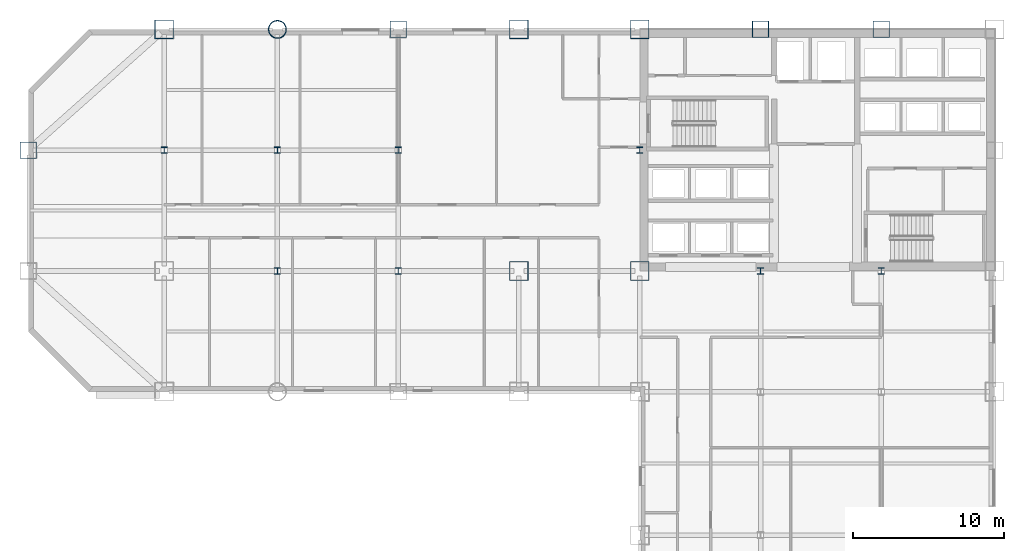
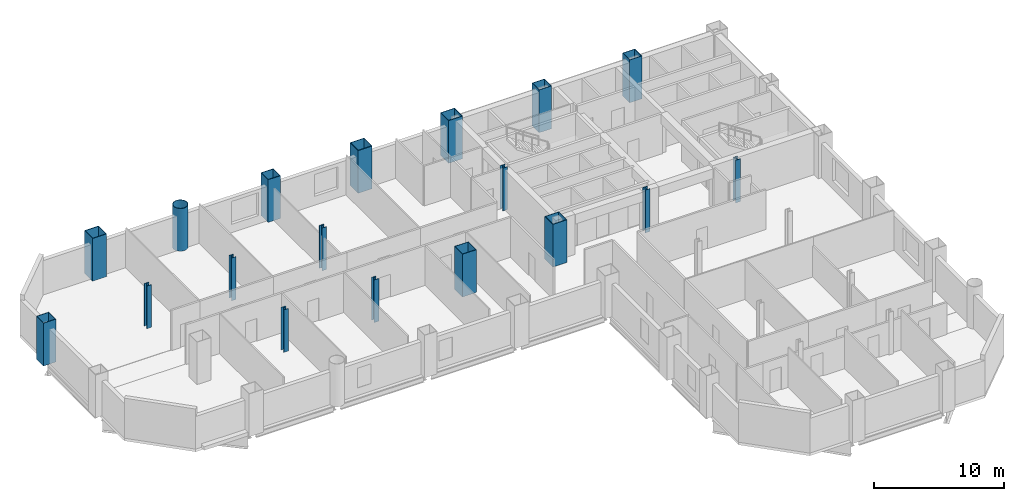
# One storey, part 2 of 9: 18 columns.
"""IFC4 building model written with IfcOpenShell, lengths in metres."""

from ifc_helpers import new_model, si_unit, direction, frame, origin, origin_2d, place, context, subcontext, project, spatial, hollow_rectangle, hollow_circle, i_section, extrude, material, material_profile, profile_set, type_object, element, save


model = new_model("IFC4")

# Units and contexts
model_context = context("Model", 3, precision=1e-05, world=origin(), true_north=direction((0.0, 1.0)))
body_context = subcontext(model_context, "Body", "Model", "MODEL_VIEW")
ifc_project = project(units=[si_unit("LENGTHUNIT", "METRE"), si_unit("AREAUNIT", "SQUARE_METRE"), si_unit("VOLUMEUNIT", "CUBIC_METRE"), si_unit("PLANEANGLEUNIT", "RADIAN"), si_unit("MASSUNIT", "GRAM", prefix="KILO")], contexts=[model_context])

# Site, building, storey
site_placement = place(None, origin())
site = spatial("IfcSite", under=ifc_project, at=site_placement, CompositionType="ELEMENT")
building_placement = place(site_placement, origin())
building = spatial("IfcBuilding", under=site, at=building_placement, Name="Qianrong Seaharbour Tower", CompositionType="ELEMENT")
storey_placement = place(building_placement, frame((0.0, 0.0, 96.199951171875)))
storey = spatial("IfcBuildingStorey", under=building, at=storey_placement, Name="L23", CompositionType="ELEMENT", Elevation=96.199951171875)

# Columns
ifc_material = material(Name="Structural steel SN490B", Category="steel")
ifc_material_profile_1 = material_profile(ifc_material, hollow_rectangle(XDim=1.25, YDim=1.25, WallThickness=0.044921875, at=origin_2d()), Name="BOX1250x1250x45")
ifc_profile_set_1 = profile_set([ifc_material_profile_1], Name="Structural steel SN490B")
column_type_1 = type_object("IfcColumnType", Name="COL-CFT-1250", PredefinedType="COLUMN", material=ifc_profile_set_1)
for number, where, z_axis, x_axis, name in (
    (1, (9.0, 52.0, 0.0), (0.0, 0.0, 1.0), (1.0, 0.0, 0.0), "L23 Column MC-2 at G2/GH"),
    (2, (32.5, 36.0, 0.0), (0.0, 0.0, 1.0), (1.0, 0.0, 0.0), "L23 Column MC-2 at G5/GF"),
    (3, (32.5, 52.0, 0.0), (0.0, 0.0, 1.0), (1.0, 0.0, 0.0), "L23 Column MC-2 at G5/GH"),
    (4, (40.5, 36.0, 0.0), (0.0, 0.0, 1.0), (1.0, 0.0, 0.0), "L23 Column MC-2 at G6/GF"),
    (5, (40.5, 52.0, 0.0), (0.0, 0.0, 1.0), (1.0, 0.0, 0.0), "L23 Column MC-2 at G6/GH"),
):
    element("IfcColumn", number, at=place(storey_placement, frame(where, z_axis=z_axis, x_axis=x_axis)), inside=storey, type_object=column_type_1, Name=name, PredefinedType="COLUMN", context=body_context, shape_type="SweptSolid", body=[
        extrude(hollow_rectangle(XDim=1.25, YDim=1.25, WallThickness=0.044921875, at=origin_2d()), origin(), (0.0, 0.0, 1.0), 4.0),
    ])
ifc_material_profile_2 = material_profile(ifc_material, hollow_circle(Radius=0.60009765625, WallThickness=0.0400390625, at=origin_2d()), Name="CHS1200x40")
ifc_profile_set_2 = profile_set([ifc_material_profile_2], Name="Structural steel SN490B")
column_type_2 = type_object("IfcColumnType", Name="COL-CHS-1200", PredefinedType="COLUMN", material=ifc_profile_set_2)
column_placement = place(storey_placement, frame((16.5, 52.0, 0.0), z_axis=(0.0, 0.0, 1.0), x_axis=(1.0, 0.0, 0.0)))
element("IfcColumn", 6, at=column_placement, inside=storey, type_object=column_type_2, Name="L23 Column CC-1 at G3/GH", PredefinedType="COLUMN", context=body_context, shape_type="SweptSolid", body=[
    extrude(hollow_circle(Radius=0.60009765625, WallThickness=0.0400390625, at=origin_2d()), origin(), (0.0, 0.0, 1.0), 4.0),
])
ifc_material_profile_3 = material_profile(ifc_material, i_section(OverallWidth=0.406982421875, OverallDepth=0.427978515625, WebThickness=0.02001953125, FlangeThickness=0.034912109375, FilletRadius=0.02197265625, at=origin_2d()), Name="H428x407x20x35")
ifc_profile_set_3 = profile_set([ifc_material_profile_3], Name="Structural steel SN490B")
column_type_3 = type_object("IfcColumnType", Name="COL-INT-H428", PredefinedType="COLUMN", material=ifc_profile_set_3)
for number, where, z_axis, x_axis, name in (
    (7, (9.0, 44.0, 0.0), (0.0, 0.0, 1.0), (1.0, 0.0, 0.0), "L23 Column IC-2 at G2/GG"),
    (8, (16.5, 36.0, 0.0), (0.0, 0.0, 1.0), (1.0, 0.0, 0.0), "L23 Column IC-2 at G3/GF"),
    (9, (16.5, 44.0, 0.0), (0.0, 0.0, 1.0), (1.0, 0.0, 0.0), "L23 Column IC-2 at G3/GG"),
    (10, (24.5, 36.0, 0.0), (0.0, 0.0, 1.0), (1.0, 0.0, 0.0), "L23 Column IC-2 at G4/GF"),
    (11, (24.5, 44.0, 0.0), (0.0, 0.0, 1.0), (1.0, 0.0, 0.0), "L23 Column IC-2 at G4/GG"),
    (12, (40.5, 44.0, 0.0), (0.0, 0.0, 1.0), (1.0, 0.0, 0.0), "L23 Column IC-2 at G6/GG"),
    (13, (48.5, 36.0, 0.0), (0.0, 0.0, 1.0), (1.0, 0.0, 0.0), "L23 Column IC-2 at G7/GF"),
    (14, (56.5, 36.0, 0.0), (0.0, 0.0, 1.0), (1.0, 0.0, 0.0), "L23 Column IC-2 at G8/GF"),
):
    element("IfcColumn", number, at=place(storey_placement, frame(where, z_axis=z_axis, x_axis=x_axis)), inside=storey, type_object=column_type_3, Name=name, PredefinedType="COLUMN", context=body_context, shape_type="SweptSolid", body=[
        extrude(i_section(OverallWidth=0.406982421875, OverallDepth=0.427978515625, WebThickness=0.02001953125, FlangeThickness=0.034912109375, FilletRadius=0.02197265625, at=origin_2d()), origin(), (0.0, 0.0, 1.0), 4.0),
    ])
ifc_material_profile_4 = material_profile(ifc_material, hollow_rectangle(XDim=1.10009765625, YDim=1.10009765625, WallThickness=0.0400390625, at=origin_2d()), Name="BOX1100x1100x40")
ifc_profile_set_4 = profile_set([ifc_material_profile_4], Name="Structural steel SN490B")
column_type_4 = type_object("IfcColumnType", Name="COL-PER-1100", PredefinedType="COLUMN", material=ifc_profile_set_4)
for number, where, z_axis, x_axis, name in (
    (15, (0.0, 44.0, 0.0), (0.0, 0.0, 1.0), (1.0, 0.0, 0.0), "L23 Column PC-1 at G1/GG"),
    (16, (24.5, 52.0, 0.0), (0.0, 0.0, 1.0), (1.0, 0.0, 0.0), "L23 Column PC-1 at G4/GH"),
    (17, (48.5, 52.0, 0.0), (0.0, 0.0, 1.0), (1.0, 0.0, 0.0), "L23 Column PC-1 at G7/GH"),
    (18, (56.5, 52.0, 0.0), (0.0, 0.0, 1.0), (1.0, 0.0, 0.0), "L23 Column PC-1 at G8/GH"),
):
    element("IfcColumn", number, at=place(storey_placement, frame(where, z_axis=z_axis, x_axis=x_axis)), inside=storey, type_object=column_type_4, Name=name, PredefinedType="COLUMN", context=body_context, shape_type="SweptSolid", body=[
        extrude(hollow_rectangle(XDim=1.10009765625, YDim=1.10009765625, WallThickness=0.0400390625, at=origin_2d()), origin(), (0.0, 0.0, 1.0), 4.0),
    ])

save(model, "model.ifc")
